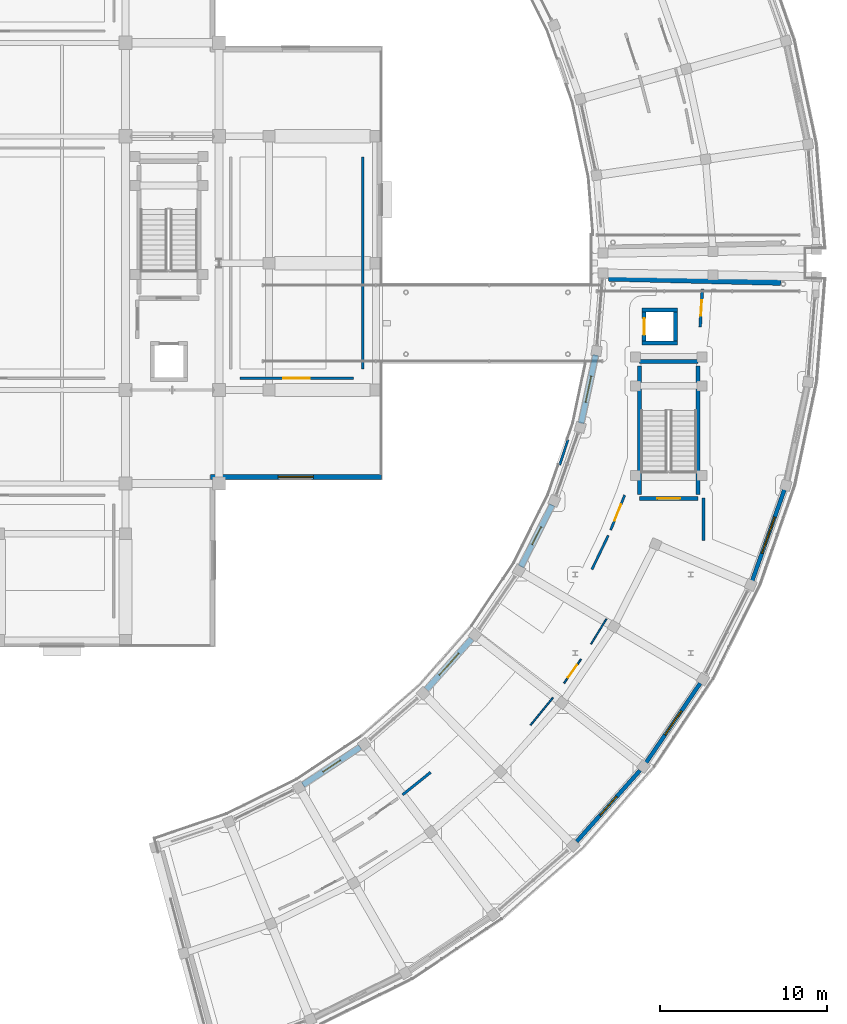
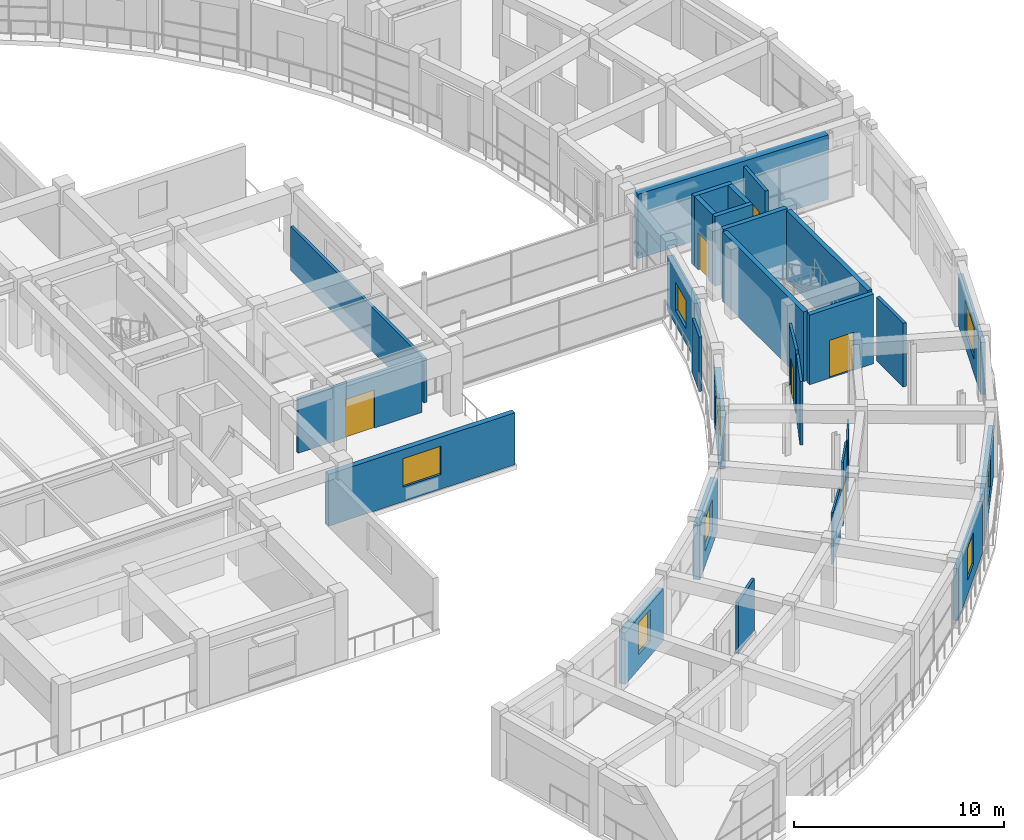
# One storey, part 49 of 70: 28 walls, 8 windows, 6 doors, 14 openings.
"""IFC4 building model written with IfcOpenShell, lengths in metres."""

from ifc_helpers import new_model, si_unit, direction, frame, frame_2d, origin, place, context, subcontext, project, spatial, rectangle, extrude, material, layer, layer_set, type_object, element, fill, save


model = new_model("IFC4")

# Units and contexts
model_context = context("Model", 3, precision=1e-05, world=origin(), true_north=direction((0.0, 1.0)))
body_context = subcontext(model_context, "Body", "Model", "MODEL_VIEW")
ifc_project = project(units=[si_unit("LENGTHUNIT", "METRE"), si_unit("AREAUNIT", "SQUARE_METRE"), si_unit("VOLUMEUNIT", "CUBIC_METRE"), si_unit("PLANEANGLEUNIT", "RADIAN"), si_unit("MASSUNIT", "GRAM", prefix="KILO")], contexts=[model_context])

# Site, building, storey
site_placement = place(None, origin())
site = spatial("IfcSite", under=ifc_project, at=site_placement, CompositionType="ELEMENT")
building_placement = place(site_placement, origin())
building = spatial("IfcBuilding", under=site, at=building_placement, Name="Saryqyr Civic Hall", CompositionType="ELEMENT")
storey_placement = place(building_placement, frame((0.0, 0.0, 13.199951171875)))
storey = spatial("IfcBuildingStorey", under=building, at=storey_placement, Name="L03", CompositionType="ELEMENT", Elevation=13.199951171875)

# Wall, opening, window
ifc_material_1 = material(Name="Precast concrete C40/50", Category="concrete")
ifc_layer_1 = layer(ifc_material_1, 0.239990234375, Name="Precast concrete C40/50")
ifc_layer_set_1 = layer_set([ifc_layer_1], Name="Precast concrete C40/50")
wall_type_1 = type_object("IfcWallType", Name="ENV-WAL-EXT-240", PredefinedType="STANDARD", material=ifc_layer_set_1)
wall_1_placement = place(storey_placement, frame((95.41650390625, 53.614501953125, 0.0), z_axis=(0.0, 0.0, 1.0), x_axis=(-0.6649220167, -0.746912787217, 0.0)))
wall_1 = element("IfcWall", 1, at=wall_1_placement, inside=storey, type_object=wall_type_1, Name="Exterior wall V5-EWO-L03-04", PredefinedType="STANDARD", context=body_context, shape_type="SweptSolid", body=[
    extrude(rectangle(XDim=5.69921875, YDim=0.239990234375, at=frame_2d((2.849609375, 0.0))), origin(), (0.0, 0.0, 1.0), 3.01513671875),
])
opening_1_placement = place(wall_1_placement, frame((2.10009765625, 0.0, 0.85009765625)))
opening_1 = element("IfcOpeningElement", 2, at=opening_1_placement, cuts=wall_1, Name="Opening W-26", PredefinedType="OPENING", context=body_context, shape_type="SweptSolid", body=[
    extrude(rectangle(XDim=1.5, YDim=1.85009765625, at=frame_2d((0.75, 0.925048828125))), frame((0.0, 0.1298828125, 0.0), z_axis=(0.0, -1.0, 0.0), x_axis=(1.0, 0.0, 0.0)), (0.0, 0.0, 1.0), 0.260009765625),
])
ifc_material_2 = material(Name="Anodised aluminium and triple low-E glass", Category="aluminium")
window_type_1 = type_object("IfcWindowType", Name="ENV-WIN-W26", PartitioningType="SINGLE_PANEL", PredefinedType="WINDOW", material=ifc_material_2)
window_1_placement = place(opening_1_placement, origin())
window_1 = element("IfcWindow", 3, at=window_1_placement, inside=storey, type_object=window_type_1, Name="Exterior ribbon window V5-L03-04", OverallHeight=1.85009765625, OverallWidth=1.5, PartitioningType="SINGLE_PANEL", PredefinedType="WINDOW", context=body_context, shape_type="SweptSolid", body=[
    extrude(rectangle(XDim=1.5, YDim=1.85009765625, at=frame_2d((0.75, 0.925048828125))), frame((0.0, 0.030029296875, 0.0), z_axis=(0.0, -1.0, 0.0), x_axis=(1.0, 0.0, 0.0)), (0.0, 0.0, 1.0), 0.06005859375),
])
fill(opening_1, window_1)

wall_2_placement = place(storey_placement, frame((99.029296875, 58.843994140625, 0.0), z_axis=(0.0, 0.0, 1.0), x_axis=(-0.563132935525, -0.826366321269, 0.0)))
wall_2 = element("IfcWall", 4, at=wall_2_placement, inside=storey, type_object=wall_type_1, Name="Exterior wall V5-EWO-L03-05", PredefinedType="STANDARD", context=body_context, shape_type="SweptSolid", body=[
    extrude(rectangle(XDim=5.759521484375, YDim=0.239990234375, at=frame_2d((2.8798828125, 0.0))), origin(), (0.0, 0.0, 1.0), 3.01513671875),
])
opening_2_placement = place(wall_2_placement, frame((2.0048828125, 0.0, 0.85009765625)))
opening_2 = element("IfcOpeningElement", 5, at=opening_2_placement, cuts=wall_2, Name="Opening W-27", PredefinedType="OPENING", context=body_context, shape_type="SweptSolid", body=[
    extrude(rectangle(XDim=1.75, YDim=1.85009765625, at=frame_2d((0.875, 0.925048828125))), frame((0.0, 0.1298828125, 0.0), z_axis=(0.0, -1.0, 0.0), x_axis=(1.0, 0.0, 0.0)), (0.0, 0.0, 1.0), 0.260009765625),
])
window_type_2 = type_object("IfcWindowType", Name="ENV-WIN-W27", PartitioningType="SINGLE_PANEL", PredefinedType="WINDOW", material=ifc_material_2)
window_2_placement = place(opening_2_placement, origin())
window_2 = element("IfcWindow", 6, at=window_2_placement, inside=storey, type_object=window_type_2, Name="Exterior ribbon window V5-L03-05", OverallHeight=1.85009765625, OverallWidth=1.75, PartitioningType="SINGLE_PANEL", PredefinedType="WINDOW", context=body_context, shape_type="SweptSolid", body=[
    extrude(rectangle(XDim=1.75, YDim=1.85009765625, at=frame_2d((0.875, 0.925048828125))), frame((0.0, 0.030029296875, 0.0), z_axis=(0.0, -1.0, 0.0), x_axis=(1.0, 0.0, 0.0)), (0.0, 0.0, 1.0), 0.06005859375),
])
fill(opening_2, window_2)

wall_3_placement = place(storey_placement, frame((104.074951171875, 70.456298828125, 0.0), z_axis=(0.0, 0.0, 1.0), x_axis=(-0.333212182882, -0.942851865978, 0.0)))
wall_3 = element("IfcWall", 7, at=wall_3_placement, inside=storey, type_object=wall_type_1, Name="Exterior wall V5-EWO-L03-07", PredefinedType="STANDARD", context=body_context, shape_type="SweptSolid", body=[
    extrude(rectangle(XDim=5.830078125, YDim=0.239990234375, at=frame_2d((2.9150390625, 0.0))), origin(), (0.0, 0.0, 1.0), 3.01513671875),
])
opening_3_placement = place(wall_3_placement, frame((1.764892578125, 0.0, 0.85009765625)))
opening_3 = element("IfcOpeningElement", 8, at=opening_3_placement, cuts=wall_3, Name="Opening W-29", PredefinedType="OPENING", context=body_context, shape_type="SweptSolid", body=[
    extrude(rectangle(XDim=2.300048828125, YDim=1.85009765625, at=frame_2d((1.14990234375, 0.925048828125))), frame((0.0, 0.1298828125, 0.0), z_axis=(0.0, -1.0, 0.0), x_axis=(1.0, 0.0, 0.0)), (0.0, 0.0, 1.0), 0.260009765625),
])
window_type_3 = type_object("IfcWindowType", Name="ENV-WIN-W29", PartitioningType="SINGLE_PANEL", PredefinedType="WINDOW", material=ifc_material_2)
window_3_placement = place(opening_3_placement, origin())
window_3 = element("IfcWindow", 9, at=window_3_placement, inside=storey, type_object=window_type_3, Name="Exterior ribbon window V5-L03-07", OverallHeight=1.85009765625, OverallWidth=2.300048828125, PartitioningType="SINGLE_PANEL", PredefinedType="WINDOW", context=body_context, shape_type="SweptSolid", body=[
    extrude(rectangle(XDim=2.300048828125, YDim=1.85009765625, at=frame_2d((1.14990234375, 0.925048828125))), frame((0.0, 0.030029296875, 0.0), z_axis=(0.0, -1.0, 0.0), x_axis=(1.0, 0.0, 0.0)), (0.0, 0.0, 1.0), 0.06005859375),
])
fill(opening_3, window_3)

ifc_layer_2 = layer(ifc_material_1, 0.2900390625, Name="Precast concrete C40/50")
ifc_layer_set_2 = layer_set([ifc_layer_2], Name="Precast concrete C40/50")
wall_type_2 = type_object("IfcWallType", Name="ENV-WAL-EXT-290", PredefinedType="STANDARD", material=ifc_layer_set_2)
wall_4_placement = place(storey_placement, frame((79.919921875, 71.199951171875, 0.0), z_axis=(0.0, 0.0, 1.0), x_axis=(-1.0, 0.0, 0.0)))
wall_4 = element("IfcWall", 10, at=wall_4_placement, inside=storey, type_object=wall_type_2, Name="Exterior wall V1-EW-L03-09", PredefinedType="STANDARD", context=body_context, shape_type="SweptSolid", body=[
    extrude(rectangle(XDim=10.239990234375, YDim=0.2900390625, at=frame_2d((5.1201171875, 0.0))), origin(), (0.0, 0.0, 1.0), 3.01513671875),
])
opening_4_placement = place(wall_4_placement, frame((4.070068359375, 0.0, 0.85009765625)))
opening_4 = element("IfcOpeningElement", 11, at=opening_4_placement, cuts=wall_4, Name="Opening W-21", PredefinedType="OPENING", context=body_context, shape_type="SweptSolid", body=[
    extrude(rectangle(XDim=2.10009765625, YDim=1.64990234375, at=frame_2d((1.050048828125, 0.824951171875))), frame((0.0, 0.155029296875, 0.0), z_axis=(0.0, -1.0, 0.0), x_axis=(1.0, 0.0, 0.0)), (0.0, 0.0, 1.0), 0.31005859375),
])
window_type_4 = type_object("IfcWindowType", Name="ENV-WIN-W21", PartitioningType="SINGLE_PANEL", PredefinedType="WINDOW", material=ifc_material_2)
window_4_placement = place(opening_4_placement, origin())
window_4 = element("IfcWindow", 12, at=window_4_placement, inside=storey, type_object=window_type_4, Name="Chamber cluster window L03-09", OverallHeight=1.64990234375, OverallWidth=2.10009765625, PartitioningType="SINGLE_PANEL", PredefinedType="WINDOW", context=body_context, shape_type="SweptSolid", body=[
    extrude(rectangle(XDim=2.10009765625, YDim=1.64990234375, at=frame_2d((1.050048828125, 0.824951171875))), frame((0.0, 0.030029296875, 0.0), z_axis=(0.0, -1.0, 0.0), x_axis=(1.0, 0.0, 0.0)), (0.0, 0.0, 1.0), 0.06005859375),
])
fill(opening_4, window_4)

ifc_layer_3 = layer(ifc_material_1, 0.340087890625, Name="Precast concrete C40/50")
ifc_layer_set_3 = layer_set([ifc_layer_3], Name="Precast concrete C40/50")
wall_type_3 = type_object("IfcWallType", Name="ENV-WAL-EXT-340", PredefinedType="STANDARD", material=ifc_layer_set_3)
wall_5_placement = place(storey_placement, frame((75.23095703125, 52.74560546875, 0.0), z_axis=(0.0, 0.0, 1.0), x_axis=(0.833763777336, 0.552121330508, 0.0)))
wall_5 = element("IfcWall", 13, at=wall_5_placement, inside=storey, type_object=wall_type_3, Name="Exterior wall V5-EWI-L03-02", PredefinedType="STANDARD", context=body_context, shape_type="SweptSolid", body=[
    extrude(rectangle(XDim=4.111572265625, YDim=0.340087890625, at=frame_2d((2.0556640625, 0.0))), origin(), (0.0, 0.0, 1.0), 3.01513671875),
])
opening_5_placement = place(wall_5_placement, frame((1.430908203125, 0.0, 0.85009765625)))
opening_5 = element("IfcOpeningElement", 14, at=opening_5_placement, cuts=wall_5, Name="Opening W-25", PredefinedType="OPENING", context=body_context, shape_type="SweptSolid", body=[
    extrude(rectangle(XDim=1.25, YDim=1.85009765625, at=frame_2d((0.625, 0.925048828125))), frame((0.0, 0.179931640625, 0.0), z_axis=(0.0, -1.0, 0.0), x_axis=(1.0, 0.0, 0.0)), (0.0, 0.0, 1.0), 0.360107421875),
])
window_type_5 = type_object("IfcWindowType", Name="ENV-WIN-W25", PartitioningType="SINGLE_PANEL", PredefinedType="WINDOW", material=ifc_material_2)
window_5_placement = place(opening_5_placement, origin())
window_5 = element("IfcWindow", 15, at=window_5_placement, inside=storey, type_object=window_type_5, Name="Courtyard window V5-L03-02", OverallHeight=1.85009765625, OverallWidth=1.25, PartitioningType="SINGLE_PANEL", PredefinedType="WINDOW", context=body_context, shape_type="SweptSolid", body=[
    extrude(rectangle(XDim=1.25, YDim=1.85009765625, at=frame_2d((0.625, 0.925048828125))), frame((0.0, 0.030029296875, 0.0), z_axis=(0.0, -1.0, 0.0), x_axis=(1.0, 0.0, 0.0)), (0.0, 0.0, 1.0), 0.06005859375),
])
fill(opening_5, window_5)

wall_6_placement = place(storey_placement, frame((82.635986328125, 58.468505859375, 0.0), z_axis=(0.0, 0.0, 1.0), x_axis=(0.664947894459, 0.74688974933, 0.0)))
wall_6 = element("IfcWall", 16, at=wall_6_placement, inside=storey, type_object=wall_type_3, Name="Exterior wall V5-EWI-L03-04", PredefinedType="STANDARD", context=body_context, shape_type="SweptSolid", body=[
    extrude(rectangle(XDim=4.046142578125, YDim=0.340087890625, at=frame_2d((2.02294921875, 0.0))), origin(), (0.0, 0.0, 1.0), 3.1650390625),
])
opening_6_placement = place(wall_6_placement, frame((1.14794921875, 0.0, 0.85009765625)))
opening_6 = element("IfcOpeningElement", 17, at=opening_6_placement, cuts=wall_6, Name="Opening W-27", PredefinedType="OPENING", context=body_context, shape_type="SweptSolid", body=[
    extrude(rectangle(XDim=1.75, YDim=1.85009765625, at=frame_2d((0.875, 0.925048828125))), frame((0.0, 0.179931640625, 0.0), z_axis=(0.0, -1.0, 0.0), x_axis=(1.0, 0.0, 0.0)), (0.0, 0.0, 1.0), 0.360107421875),
])
window_6_placement = place(opening_6_placement, origin())
window_6 = element("IfcWindow", 18, at=window_6_placement, inside=storey, type_object=window_type_2, Name="Courtyard window V5-L03-04", OverallHeight=1.85009765625, OverallWidth=1.75, PartitioningType="SINGLE_PANEL", PredefinedType="WINDOW", context=body_context, shape_type="SweptSolid", body=[
    extrude(rectangle(XDim=1.75, YDim=1.85009765625, at=frame_2d((0.875, 0.925048828125))), frame((0.0, 0.030029296875, 0.0), z_axis=(0.0, -1.0, 0.0), x_axis=(1.0, 0.0, 0.0)), (0.0, 0.0, 1.0), 0.06005859375),
])
fill(opening_6, window_6)

wall_7_placement = place(storey_placement, frame((88.28759765625, 65.823974609375, 0.0), z_axis=(0.0, 0.0, 1.0), x_axis=(0.451915465701, 0.89206076691, 0.0)))
wall_7 = element("IfcWall", 19, at=wall_7_placement, inside=storey, type_object=wall_type_3, Name="Exterior wall V5-EWI-L03-06", PredefinedType="STANDARD", context=body_context, shape_type="SweptSolid", body=[
    extrude(rectangle(XDim=4.1484375, YDim=0.340087890625, at=frame_2d((2.07421875, 0.0))), origin(), (0.0, 0.0, 1.0), 3.01513671875),
])
opening_7_placement = place(wall_7_placement, frame((1.47412109375, 0.0, 0.85009765625)))
opening_7 = element("IfcOpeningElement", 20, at=opening_7_placement, cuts=wall_7, Name="Opening W-17", PredefinedType="OPENING", context=body_context, shape_type="SweptSolid", body=[
    extrude(rectangle(XDim=1.199951171875, YDim=1.64990234375, at=frame_2d((0.60009765625, 0.824951171875))), frame((0.0, 0.179931640625, 0.0), z_axis=(0.0, -1.0, 0.0), x_axis=(1.0, 0.0, 0.0)), (0.0, 0.0, 1.0), 0.360107421875),
])
window_type_6 = type_object("IfcWindowType", Name="ENV-WIN-W17", PartitioningType="SINGLE_PANEL", PredefinedType="WINDOW", material=ifc_material_2)
window_7_placement = place(opening_7_placement, origin())
window_7 = element("IfcWindow", 21, at=window_7_placement, inside=storey, type_object=window_type_6, Name="Courtyard window V5-L03-06", OverallHeight=1.64990234375, OverallWidth=1.199951171875, PartitioningType="SINGLE_PANEL", PredefinedType="WINDOW", context=body_context, shape_type="SweptSolid", body=[
    extrude(rectangle(XDim=1.199951171875, YDim=1.64990234375, at=frame_2d((0.60009765625, 0.824951171875))), frame((0.0, 0.030029296875, 0.0), z_axis=(0.0, -1.0, 0.0), x_axis=(1.0, 0.0, 0.0)), (0.0, 0.0, 1.0), 0.06005859375),
])
fill(opening_7, window_7)

wall_8_placement = place(storey_placement, frame((91.889404296875, 74.40283203125, 0.0), z_axis=(0.0, 0.0, 1.0), x_axis=(0.208893062569, 0.977938489073, 0.0)))
wall_8 = element("IfcWall", 22, at=wall_8_placement, inside=storey, type_object=wall_type_3, Name="Exterior wall V5-EWI-L03-08", PredefinedType="STANDARD", context=body_context, shape_type="SweptSolid", body=[
    extrude(rectangle(XDim=4.194580078125, YDim=0.340087890625, at=frame_2d((2.09716796875, 0.0))), origin(), (0.0, 0.0, 1.0), 3.1650390625),
])
opening_8_placement = place(wall_8_placement, frame((1.297119140625, 0.0, 0.85009765625)))
opening_8 = element("IfcOpeningElement", 23, at=opening_8_placement, cuts=wall_8, Name="Opening W-19", PredefinedType="OPENING", context=body_context, shape_type="SweptSolid", body=[
    extrude(rectangle(XDim=1.60009765625, YDim=1.64990234375, at=frame_2d((0.800048828125, 0.824951171875))), frame((0.0, 0.179931640625, 0.0), z_axis=(0.0, -1.0, 0.0), x_axis=(1.0, 0.0, 0.0)), (0.0, 0.0, 1.0), 0.360107421875),
])
window_type_7 = type_object("IfcWindowType", Name="ENV-WIN-W19", PartitioningType="SINGLE_PANEL", PredefinedType="WINDOW", material=ifc_material_2)
window_8_placement = place(opening_8_placement, origin())
window_8 = element("IfcWindow", 24, at=window_8_placement, inside=storey, type_object=window_type_7, Name="Courtyard window V5-L03-08", OverallHeight=1.64990234375, OverallWidth=1.60009765625, PartitioningType="SINGLE_PANEL", PredefinedType="WINDOW", context=body_context, shape_type="SweptSolid", body=[
    extrude(rectangle(XDim=1.60009765625, YDim=1.64990234375, at=frame_2d((0.800048828125, 0.824951171875))), frame((0.0, 0.030029296875, 0.0), z_axis=(0.0, -1.0, 0.0), x_axis=(1.0, 0.0, 0.0)), (0.0, 0.0, 1.0), 0.06005859375),
])
fill(opening_8, window_8)

# Wall
ifc_material_3 = material(Name="Concrete C40/50", Category="concrete")
ifc_layer_4 = layer(ifc_material_3, 0.3798828125, Name="Concrete C40/50")
ifc_layer_set_4 = layer_set([ifc_layer_4], Name="Concrete C40/50")
wall_type_4 = type_object("IfcWallType", Name="ENV-WAL-PTY-380", PredefinedType="SHEAR", material=ifc_layer_set_4)
wall_9_placement = place(storey_placement, frame((93.5390625, 83.10693359375, 0.0), z_axis=(0.0, 0.0, 1.0), x_axis=(0.999701591947, -0.024427997417, 0.0)))
element("IfcWall", 25, at=wall_9_placement, inside=storey, type_object=wall_type_4, Name="Exterior wall V5-JNTW-B-L03", PredefinedType="SHEAR", context=body_context, shape_type="SweptSolid", body=[
    extrude(rectangle(XDim=10.314208984375, YDim=0.3798828125, at=frame_2d((5.1572265625, 0.0))), origin(), (0.0, 0.0, 1.0), 3.75),
])

# Wall, opening, door
ifc_material_4 = material(Name="Lightweight demountable partition", Category="gypsum")
ifc_layer_5 = layer(ifc_material_4, 0.094970703125, Name="Lightweight demountable partition")
ifc_layer_set_5 = layer_set([ifc_layer_5], Name="Lightweight demountable partition")
wall_type_5 = type_object("IfcWallType", Name="INT-WAL-PRT-095", PredefinedType="PARTITIONING", material=ifc_layer_set_5)
wall_10_placement = place(storey_placement, frame((90.86669921875, 58.847900390625, 0.0), z_axis=(0.0, 0.0, 1.0), x_axis=(0.579416783783, 0.815031404715, 0.0)))
wall_10 = element("IfcWall", 26, at=wall_10_placement, inside=storey, type_object=wall_type_5, Name="Interior partition PRT-SP-V5-L03-R02-W1", PredefinedType="PARTITIONING", context=body_context, shape_type="SweptSolid", body=[
    extrude(rectangle(XDim=1.751220703125, YDim=0.094970703125, at=frame_2d((0.87548828125, 0.0))), origin(), (0.0, 0.0, 1.0), 3.699951171875),
])
opening_9_placement = place(wall_10_placement, frame((0.426025390625, 0.0, 0.0)))
opening_9 = element("IfcOpeningElement", 27, at=opening_9_placement, cuts=wall_10, Name="Opening D-01", PredefinedType="OPENING", context=body_context, shape_type="SweptSolid", body=[
    extrude(rectangle(XDim=0.89990234375, YDim=2.10009765625, at=frame_2d((0.449951171875, 1.050048828125))), frame((0.0, 0.057373046875, 0.0), z_axis=(0.0, -1.0, 0.0), x_axis=(1.0, 0.0, 0.0)), (0.0, 0.0, 1.0), 0.114990234375),
])
ifc_material_5 = material(Name="Acoustic solid-core oak veneer", Category="wood")
door_type_1 = type_object("IfcDoorType", Name="INT-DR-D-01", OperationType="NOTDEFINED", PredefinedType="DOOR", material=ifc_material_5)
door_1_placement = place(opening_9_placement, origin())
door_1 = element("IfcDoor", 28, at=door_1_placement, inside=storey, type_object=door_type_1, Name="Interior door Economic Development & Investment Office", OperationType="SINGLE_SWING_RIGHT", OverallHeight=2.10009765625, OverallWidth=0.89990234375, PredefinedType="DOOR", context=body_context, shape_type="SweptSolid", body=[
    extrude(rectangle(XDim=0.89990234375, YDim=2.10009765625, at=frame_2d((0.449951171875, 1.050048828125))), frame((0.0, 0.02490234375, 0.0), z_axis=(0.0, -1.0, 0.0), x_axis=(1.0, 0.0, 0.0)), (0.0, 0.0, 1.0), 0.050048828125),
])
fill(opening_9, door_1)

# Walls
wall_11_placement = place(storey_placement, frame((92.48779296875, 61.192138671875, 0.0), z_axis=(0.0, 0.0, 1.0), x_axis=(0.523101385983, 0.852270461757, 0.0)))
element("IfcWall", 29, at=wall_11_placement, inside=storey, type_object=wall_type_5, Name="Interior partition PRT-SP-V5-L03-R02-W2", PredefinedType="PARTITIONING", context=body_context, shape_type="SweptSolid", body=[
    extrude(rectangle(XDim=1.751220703125, YDim=0.094970703125, at=frame_2d((0.87548828125, 0.0))), origin(), (0.0, 0.0, 1.0), 3.01513671875),
])
wall_12_placement = place(storey_placement, frame((88.856689453125, 56.33203125, 0.0), z_axis=(0.0, 0.0, 1.0), x_axis=(0.633093635645, 0.774075221478, 0.0)))
element("IfcWall", 30, at=wall_12_placement, inside=storey, type_object=wall_type_5, Name="Interior partition PRT-SP-V5-L03-R02-W3", PredefinedType="PARTITIONING", context=body_context, shape_type="SweptSolid", body=[
    extrude(rectangle(XDim=2.121337890625, YDim=0.094970703125, at=frame_2d((1.060546875, 0.0))), origin(), (0.0, 0.0, 1.0), 3.01513671875),
])

# Wall, opening, door
ifc_material_6 = material(Name="Metal-stud gypsum board partition", Category="gypsum")
ifc_layer_6 = layer(ifc_material_6, 0.139892578125, Name="Metal-stud gypsum board partition")
ifc_layer_set_6 = layer_set([ifc_layer_6], Name="Metal-stud gypsum board partition")
wall_type_6 = type_object("IfcWallType", Name="INT-WAL-PRT-140", PredefinedType="PARTITIONING", material=ifc_layer_set_6)
wall_13_placement = place(storey_placement, frame((94.50390625, 70.106689453125, 0.0), z_axis=(0.0, 0.0, 1.0), x_axis=(-0.373687233103, -0.927554770251, 0.0)))
wall_13 = element("IfcWall", 31, at=wall_13_placement, inside=storey, type_object=wall_type_6, Name="Interior partition PRT-SP-V5-L03-R05-W1", PredefinedType="PARTITIONING", context=body_context, shape_type="SweptSolid", body=[
    extrude(rectangle(XDim=2.25341796875, YDim=0.139892578125, at=frame_2d((1.126708984375, 0.0))), origin(), (0.0, 0.0, 1.0), 3.699951171875),
])
opening_10_placement = place(wall_13_placement, frame((0.60205078125, 0.0, 0.0)))
opening_10 = element("IfcOpeningElement", 32, at=opening_10_placement, cuts=wall_13, Name="Opening D-04", PredefinedType="OPENING", context=body_context, shape_type="SweptSolid", body=[
    extrude(rectangle(XDim=1.050048828125, YDim=2.10009765625, at=frame_2d((0.52490234375, 1.050048828125))), frame((0.0, 0.079833984375, 0.0), z_axis=(0.0, -1.0, 0.0), x_axis=(1.0, 0.0, 0.0)), (0.0, 0.0, 1.0), 0.159912109375),
])
door_type_2 = type_object("IfcDoorType", Name="INT-DR-D-04", OperationType="NOTDEFINED", PredefinedType="DOOR", material=ifc_material_5)
door_2_placement = place(opening_10_placement, origin())
door_2 = element("IfcDoor", 33, at=door_2_placement, inside=storey, type_object=door_type_2, Name="Interior door Legal Counsel & Legislative Drafting Suite", OperationType="SINGLE_SWING_LEFT", OverallHeight=2.10009765625, OverallWidth=1.050048828125, PredefinedType="DOOR", context=body_context, shape_type="SweptSolid", body=[
    extrude(rectangle(XDim=1.050048828125, YDim=2.10009765625, at=frame_2d((0.52490234375, 1.050048828125))), frame((0.0, 0.02490234375, 0.0), z_axis=(0.0, -1.0, 0.0), x_axis=(1.0, 0.0, 0.0)), (0.0, 0.0, 1.0), 0.050048828125),
])
fill(opening_10, door_2)

# Walls
wall_14_placement = place(storey_placement, frame((90.607177734375, 71.913330078125, 0.0), z_axis=(0.0, 0.0, 1.0), x_axis=(0.312251436555, 0.949999494931, 0.0)))
element("IfcWall", 34, at=wall_14_placement, inside=storey, type_object=wall_type_6, Name="Interior partition PRT-SP-V5-L03-R05-W2", PredefinedType="PARTITIONING", context=body_context, shape_type="SweptSolid", body=[
    extrude(rectangle(XDim=1.603515625, YDim=0.139892578125, at=frame_2d((0.8017578125, 0.0))), origin(), (0.0, 0.0, 1.0), 3.1650390625),
])
wall_15_placement = place(storey_placement, frame((93.5166015625, 67.6875, 0.0), z_axis=(0.0, 0.0, 1.0), x_axis=(-0.433379051878, -0.90121173838, 0.0)))
element("IfcWall", 35, at=wall_15_placement, inside=storey, type_object=wall_type_6, Name="Interior partition PRT-SP-V5-L03-R05-W3", PredefinedType="PARTITIONING", context=body_context, shape_type="SweptSolid", body=[
    extrude(rectangle(XDim=2.25341796875, YDim=0.139892578125, at=frame_2d((1.126708984375, 0.0))), origin(), (0.0, 0.0, 1.0), 3.699951171875),
])
ifc_material_7 = material(Name="Acoustic double-stud gypsum board", Category="gypsum")
ifc_layer_7 = layer(ifc_material_7, 0.155029296875, Name="Acoustic double-stud gypsum board")
ifc_layer_set_7 = layer_set([ifc_layer_7], Name="Acoustic double-stud gypsum board")
wall_type_7 = type_object("IfcWallType", Name="INT-WAL-PRT-155", PredefinedType="PARTITIONING", material=ifc_layer_set_7)
wall_16_placement = place(storey_placement, frame((82.87548828125, 53.50341796875, 0.0), z_axis=(0.0, 0.0, 1.0), x_axis=(-0.779637627955, -0.626230923124, 0.0)))
element("IfcWall", 36, at=wall_16_placement, inside=storey, type_object=wall_type_7, Name="Interior partition PRT-SP-V5-L03-R04-W2", PredefinedType="PARTITIONING", context=body_context, shape_type="SweptSolid", body=[
    extrude(rectangle(XDim=2.150146484375, YDim=0.155029296875, at=frame_2d((1.0751953125, 0.0))), origin(), (0.0, 0.0, 1.0), 3.01513671875),
])

# Wall, opening, door
wall_17_placement = place(storey_placement, frame((78.25, 77.10009765625, 0.0), z_axis=(0.0, 0.0, 1.0), x_axis=(-1.0, 0.0, 0.0)))
wall_17 = element("IfcWall", 37, at=wall_17_placement, inside=storey, type_object=wall_type_7, Name="Interior partition PRT-SP-V1-L03-R05-W2", PredefinedType="PARTITIONING", context=body_context, shape_type="SweptSolid", body=[
    extrude(rectangle(XDim=6.800048828125, YDim=0.155029296875, at=frame_2d((3.39990234375, 0.0))), origin(), (0.0, 0.0, 1.0), 3.1650390625),
])
opening_11_placement = place(wall_17_placement, frame((2.60009765625, 0.0, 0.0)))
opening_11 = element("IfcOpeningElement", 38, at=opening_11_placement, cuts=wall_17, Name="Opening D-14", PredefinedType="OPENING", context=body_context, shape_type="SweptSolid", body=[
    extrude(rectangle(XDim=1.60009765625, YDim=2.219970703125, at=frame_2d((0.800048828125, 1.10986328125))), frame((0.0, 0.08740234375, 0.0), z_axis=(0.0, -1.0, 0.0), x_axis=(1.0, 0.0, 0.0)), (0.0, 0.0, 1.0), 0.175048828125),
])
door_type_3 = type_object("IfcDoorType", Name="INT-DR-D-14", OperationType="NOTDEFINED", PredefinedType="DOOR", material=ifc_material_5)
door_3_placement = place(opening_11_placement, origin())
door_3 = element("IfcDoor", 39, at=door_3_placement, inside=storey, type_object=door_type_3, Name="Interior door Staff Welfare Lounge & Accessible MGN WC L03", OperationType="DOUBLE_DOOR_SINGLE_SWING", OverallHeight=2.219970703125, OverallWidth=1.60009765625, PredefinedType="DOOR", context=body_context, shape_type="SweptSolid", body=[
    extrude(rectangle(XDim=1.60009765625, YDim=2.219970703125, at=frame_2d((0.800048828125, 1.10986328125))), frame((0.0, 0.02490234375, 0.0), z_axis=(0.0, -1.0, 0.0), x_axis=(1.0, 0.0, 0.0)), (0.0, 0.0, 1.0), 0.050048828125),
])
fill(opening_11, door_3)

# Wall
wall_18_placement = place(storey_placement, frame((78.800048828125, 90.35009765625, 0.0), z_axis=(0.0, 0.0, 1.0), x_axis=(0.0, -1.0, 0.0)))
element("IfcWall", 40, at=wall_18_placement, inside=storey, type_object=wall_type_7, Name="Interior partition PRT-SP-V1-L03-R05-W3", PredefinedType="PARTITIONING", context=body_context, shape_type="SweptSolid", body=[
    extrude(rectangle(XDim=12.7001953125, YDim=0.155029296875, at=frame_2d((6.35009765625, 0.0))), origin(), (0.0, 0.0, 1.0), 2.56494140625),
])

# Wall, opening, door
ifc_layer_8 = layer(ifc_material_7, 0.169921875, Name="Acoustic double-stud gypsum board")
ifc_layer_set_8 = layer_set([ifc_layer_8], Name="Acoustic double-stud gypsum board")
wall_type_8 = type_object("IfcWallType", Name="INT-WAL-PRT-170", PredefinedType="PARTITIONING", material=ifc_layer_set_8)
wall_19_placement = place(storey_placement, frame((99.019775390625, 80.170166015625, 0.0), z_axis=(0.0, 0.0, 1.0), x_axis=(0.059365537617, 0.998236311173, 0.0)))
wall_19 = element("IfcWall", 41, at=wall_19_placement, inside=storey, type_object=wall_type_8, Name="Interior partition PRT-SP-V5-L03-R03-W1", PredefinedType="PARTITIONING", context=body_context, shape_type="SweptSolid", body=[
    extrude(rectangle(XDim=2.290771484375, YDim=0.169921875, at=frame_2d((1.1455078125, 0.0))), origin(), (0.0, 0.0, 1.0), 3.699951171875),
])
opening_12_placement = place(wall_19_placement, frame((0.669921875, 0.0, 0.0)))
opening_12 = element("IfcOpeningElement", 42, at=opening_12_placement, cuts=wall_19, Name="Opening D-02", PredefinedType="OPENING", context=body_context, shape_type="SweptSolid", body=[
    extrude(rectangle(XDim=0.949951171875, YDim=2.10009765625, at=frame_2d((0.47509765625, 1.050048828125))), frame((0.0, 0.094970703125, 0.0), z_axis=(0.0, -1.0, 0.0), x_axis=(1.0, 0.0, 0.0)), (0.0, 0.0, 1.0), 0.18994140625),
])
door_type_4 = type_object("IfcDoorType", Name="INT-DR-D-02", OperationType="NOTDEFINED", PredefinedType="DOOR", material=ifc_material_5)
door_4_placement = place(opening_12_placement, origin())
door_4 = element("IfcDoor", 43, at=door_4_placement, inside=storey, type_object=door_type_4, Name="Interior door Staff & Accessible MGN WC L03-E", OperationType="SINGLE_SWING_LEFT", OverallHeight=2.10009765625, OverallWidth=0.949951171875, PredefinedType="DOOR", context=body_context, shape_type="SweptSolid", body=[
    extrude(rectangle(XDim=0.949951171875, YDim=2.10009765625, at=frame_2d((0.47509765625, 1.050048828125))), frame((0.0, 0.02490234375, 0.0), z_axis=(0.0, -1.0, 0.0), x_axis=(1.0, 0.0, 0.0)), (0.0, 0.0, 1.0), 0.050048828125),
])
fill(opening_12, door_4)

# Walls
wall_20_placement = place(storey_placement, frame((99.219970703125, 67.3779296875, 0.0), z_axis=(0.0, 0.0, 1.0), x_axis=(0.0, 1.0, 0.0)))
element("IfcWall", 44, at=wall_20_placement, inside=storey, type_object=wall_type_8, Name="Interior partition PRT-SP-V5-L03-R03-W2", PredefinedType="PARTITIONING", context=body_context, shape_type="SweptSolid", body=[
    extrude(rectangle(XDim=2.5419921875, YDim=0.169921875, at=frame_2d((1.27099609375, 0.0))), origin(), (0.0, 0.0, 1.0), 3.699951171875),
])
ifc_layer_9 = layer(ifc_material_3, 0.239990234375, Name="Concrete C40/50")
ifc_layer_set_9 = layer_set([ifc_layer_9], Name="Concrete C40/50")
wall_type_9 = type_object("IfcWallType", Name="INT-WAL-SHR-240", PredefinedType="SHEAR", material=ifc_layer_set_9)
wall_21_placement = place(storey_placement, frame((97.64990234375, 79.219970703125, 0.0), z_axis=(0.0, 0.0, 1.0), x_axis=(-1.0, 0.0, 0.0)))
element("IfcWall", 45, at=wall_21_placement, inside=storey, type_object=wall_type_9, Name="Lift shaft shear wall LF-07-SHW-S-L03", PredefinedType="SHEAR", context=body_context, shape_type="SweptSolid", body=[
    extrude(rectangle(XDim=2.099853515625, YDim=0.239990234375, at=frame_2d((1.0498046875, 0.0))), origin(), (0.0, 0.0, 1.0), 4.050048828125),
])
wall_22_placement = place(storey_placement, frame((97.530029296875, 81.06005859375, 0.0), z_axis=(0.0, 0.0, 1.0), x_axis=(0.0, -1.0, 0.0)))
element("IfcWall", 46, at=wall_22_placement, inside=storey, type_object=wall_type_9, Name="Lift shaft shear wall LF-07-SHW-E-L03", PredefinedType="SHEAR", context=body_context, shape_type="SweptSolid", body=[
    extrude(rectangle(XDim=1.719970703125, YDim=0.239990234375, at=frame_2d((0.85986328125, 0.0))), origin(), (0.0, 0.0, 1.0), 4.050048828125),
])
wall_23_placement = place(storey_placement, frame((95.550048828125, 81.179931640625, 0.0), z_axis=(0.0, 0.0, 1.0), x_axis=(1.0, 0.0, 0.0)))
element("IfcWall", 47, at=wall_23_placement, inside=storey, type_object=wall_type_9, Name="Lift shaft shear wall LF-07-SHW-N-L03", PredefinedType="SHEAR", context=body_context, shape_type="SweptSolid", body=[
    extrude(rectangle(XDim=2.099853515625, YDim=0.239990234375, at=frame_2d((1.0498046875, 0.0))), origin(), (0.0, 0.0, 1.0), 4.050048828125),
])

# Wall, opening, door
wall_24_placement = place(storey_placement, frame((95.669921875, 79.340087890625, 0.0), z_axis=(0.0, 0.0, 1.0), x_axis=(0.0, 1.0, 0.0)))
wall_24 = element("IfcWall", 48, at=wall_24_placement, inside=storey, type_object=wall_type_9, Name="Lift shaft shear wall LF-07-SHW-W-L03", PredefinedType="SHEAR", context=body_context, shape_type="SweptSolid", body=[
    extrude(rectangle(XDim=1.719970703125, YDim=0.239990234375, at=frame_2d((0.85986328125, 0.0))), origin(), (0.0, 0.0, 1.0), 4.050048828125),
])
opening_13_placement = place(wall_24_placement, frame((0.360107421875, 0.0, 0.0)))
opening_13 = element("IfcOpeningElement", 49, at=opening_13_placement, cuts=wall_24, Name="Opening LD-02", PredefinedType="OPENING", context=body_context, shape_type="SweptSolid", body=[
    extrude(rectangle(XDim=1.0, YDim=2.14990234375, at=frame_2d((0.5, 1.074951171875))), frame((0.0, 0.1298828125, 0.0), z_axis=(0.0, -1.0, 0.0), x_axis=(1.0, 0.0, 0.0)), (0.0, 0.0, 1.0), 0.260009765625),
])
ifc_material_8 = material(Name="Brushed stainless steel", Category="steel")
door_type_5 = type_object("IfcDoorType", Name="INT-DR-LD-1000x2150", OperationType="NOTDEFINED", PredefinedType="DOOR", material=ifc_material_8)
door_5_placement = place(opening_13_placement, origin())
door_5 = element("IfcDoor", 50, at=door_5_placement, inside=storey, type_object=door_type_5, Name="Lift sliding landing door LF-07 L03", OperationType="SLIDING_TO_LEFT", OverallHeight=2.14990234375, OverallWidth=1.0, PredefinedType="DOOR", context=body_context, shape_type="SweptSolid", body=[
    extrude(rectangle(XDim=1.0, YDim=2.14990234375, at=frame_2d((0.5, 1.074951171875))), frame((0.0, 0.02490234375, 0.0), z_axis=(0.0, -1.0, 0.0), x_axis=(1.0, 0.0, 0.0)), (0.0, 0.0, 1.0), 0.050048828125),
])
fill(opening_13, door_5)

ifc_layer_10 = layer(ifc_material_3, 0.25, Name="Concrete C40/50")
ifc_layer_set_10 = layer_set([ifc_layer_10], Name="Concrete C40/50")
wall_type_10 = type_object("IfcWallType", Name="INT-WAL-SHR-250", PredefinedType="SHEAR", material=ifc_layer_set_10)
wall_25_placement = place(storey_placement, frame((98.89990234375, 69.89990234375, 0.0), z_axis=(0.0, 0.0, 1.0), x_axis=(-1.0, 0.0, 0.0)))
wall_25 = element("IfcWall", 51, at=wall_25_placement, inside=storey, type_object=wall_type_10, Name="Protected stair shaft wall ST-5-SW1-L03", PredefinedType="SHEAR", context=body_context, shape_type="SweptSolid", body=[
    extrude(rectangle(XDim=3.52001953125, YDim=0.25, at=frame_2d((1.760009765625, 0.0))), origin(), (0.0, 0.0, 1.0), 4.050048828125),
])
opening_14_placement = place(wall_25_placement, frame((1.0849609375, 0.0, 0.0)))
opening_14 = element("IfcOpeningElement", 52, at=opening_14_placement, cuts=wall_25, Name="Opening SD-01", PredefinedType="OPENING", context=body_context, shape_type="SweptSolid", body=[
    extrude(rectangle(XDim=1.35009765625, YDim=2.199951171875, at=frame_2d((0.675048828125, 1.10009765625))), frame((0.0, 0.135009765625, 0.0), z_axis=(0.0, -1.0, 0.0), x_axis=(1.0, 0.0, 0.0)), (0.0, 0.0, 1.0), 0.27001953125),
])
ifc_material_9 = material(Name="Painted galvanized steel", Category="steel")
door_type_6 = type_object("IfcDoorType", Name="INT-DR-STAIR-1350x2200", OperationType="NOTDEFINED", PredefinedType="DOOR", material=ifc_material_9)
door_6_placement = place(opening_14_placement, origin())
door_6 = element("IfcDoor", 53, at=door_6_placement, inside=storey, type_object=door_type_6, Name="Exit stair landing fire door ST-5-L03", OperationType="SINGLE_SWING_LEFT", OverallHeight=2.199951171875, OverallWidth=1.35009765625, PredefinedType="DOOR", context=body_context, shape_type="SweptSolid", body=[
    extrude(rectangle(XDim=1.35009765625, YDim=2.199951171875, at=frame_2d((0.675048828125, 1.10009765625))), frame((0.0, 0.02490234375, 0.0), z_axis=(0.0, -1.0, 0.0), x_axis=(1.0, 0.0, 0.0)), (0.0, 0.0, 1.0), 0.050048828125),
])
fill(opening_14, door_6)

# Walls
wall_26_placement = place(storey_placement, frame((95.3798828125, 70.14990234375, 0.0), z_axis=(0.0, 0.0, 1.0), x_axis=(0.0, 1.0, 0.0)))
element("IfcWall", 54, at=wall_26_placement, inside=storey, type_object=wall_type_10, Name="Protected stair shaft wall ST-5-SW2-L03", PredefinedType="SHEAR", context=body_context, shape_type="SweptSolid", body=[
    extrude(rectangle(XDim=7.7001953125, YDim=0.25, at=frame_2d((3.85009765625, 0.0))), origin(), (0.0, 0.0, 1.0), 4.050048828125),
])
wall_27_placement = place(storey_placement, frame((95.3798828125, 78.10009765625, 0.0), z_axis=(0.0, 0.0, 1.0), x_axis=(1.0, 0.0, 0.0)))
element("IfcWall", 55, at=wall_27_placement, inside=storey, type_object=wall_type_10, Name="Protected stair shaft wall ST-5-SW3-L03", PredefinedType="SHEAR", context=body_context, shape_type="SweptSolid", body=[
    extrude(rectangle(XDim=3.52001953125, YDim=0.25, at=frame_2d((1.760009765625, 0.0))), origin(), (0.0, 0.0, 1.0), 4.050048828125),
])
wall_28_placement = place(storey_placement, frame((98.89990234375, 77.85009765625, 0.0), z_axis=(0.0, 0.0, 1.0), x_axis=(0.0, -1.0, 0.0)))
element("IfcWall", 56, at=wall_28_placement, inside=storey, type_object=wall_type_10, Name="Protected stair shaft wall ST-5-SW4-L03", PredefinedType="SHEAR", context=body_context, shape_type="SweptSolid", body=[
    extrude(rectangle(XDim=7.7001953125, YDim=0.25, at=frame_2d((3.85009765625, 0.0))), origin(), (0.0, 0.0, 1.0), 4.050048828125),
])

save(model, "model.ifc")
